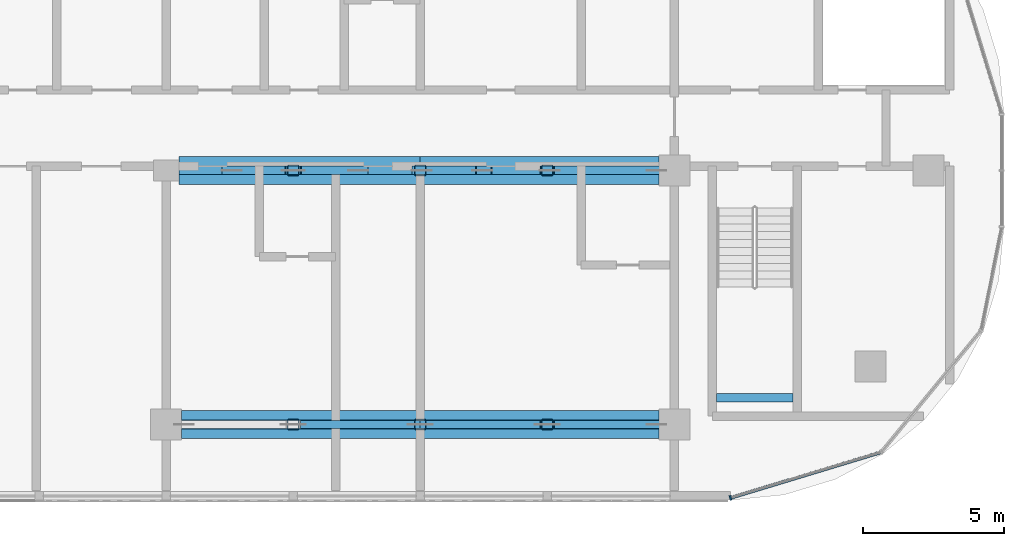
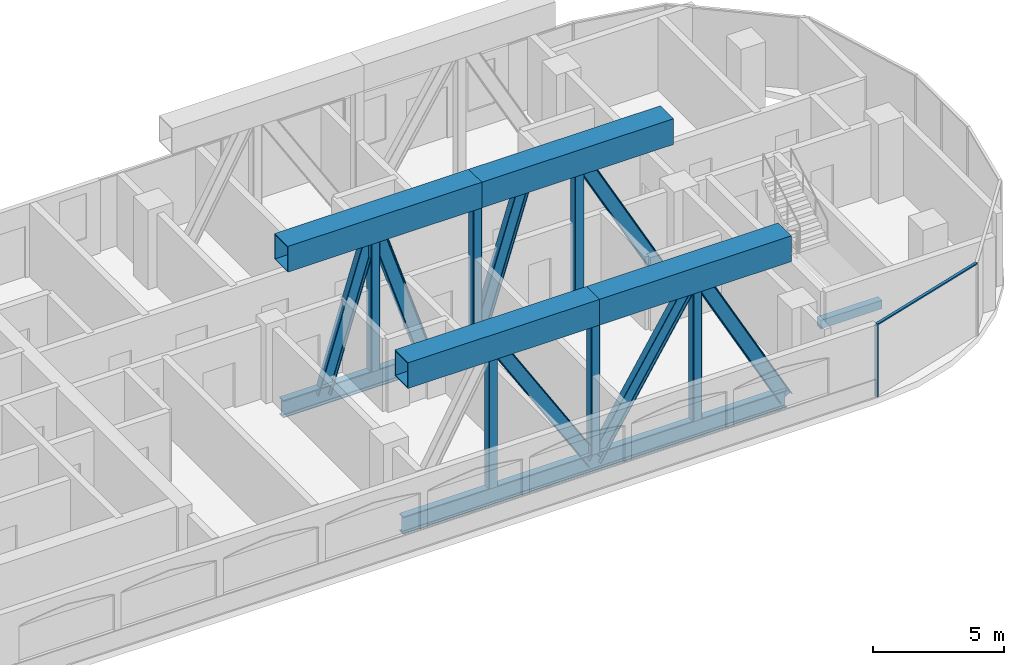
# One storey, part 3 of 25: 21 members, 1 beam, 1 element without a shape of its own.
"""IFC4 building model written with IfcOpenShell, lengths in metres."""

from ifc_helpers import new_model, si_unit, direction, frame, origin, origin_2d, place, context, subcontext, project, spatial, rectangle, hollow_rectangle, i_section, extrude, material, material_profile, profile_set, type_object, element, aggregate, save


model = new_model("IFC4")

# Units and contexts
model_context = context("Model", 3, precision=1e-05, world=origin(), true_north=direction((0.0, 1.0)))
body_context = subcontext(model_context, "Body", "Model", "MODEL_VIEW")
ifc_project = project(units=[si_unit("LENGTHUNIT", "METRE"), si_unit("AREAUNIT", "SQUARE_METRE"), si_unit("VOLUMEUNIT", "CUBIC_METRE"), si_unit("PLANEANGLEUNIT", "RADIAN"), si_unit("MASSUNIT", "GRAM", prefix="KILO")], contexts=[model_context])

# Site, building, storey
site_placement = place(None, origin())
site = spatial("IfcSite", under=ifc_project, at=site_placement, CompositionType="ELEMENT")
building_placement = place(site_placement, origin())
building = spatial("IfcBuilding", under=site, at=building_placement, Name="Ogive Portal Towers", CompositionType="ELEMENT")
storey_placement = place(building_placement, frame((0.0, 0.0, 182.89990234375)))
storey = spatial("IfcBuildingStorey", under=building, at=storey_placement, Name="L45", CompositionType="ELEMENT", Elevation=182.89990234375)

# Beam
ifc_material_1 = material(Name="Concrete C40/50", Category="concrete")
ifc_material_profile_1 = material_profile(ifc_material_1, rectangle(XDim=0.300048828125, YDim=0.39990234375, at=origin_2d()), Name="RC 300x400")
ifc_profile_set_1 = profile_set([ifc_material_profile_1], Name="Concrete C40/50")
beam_type = type_object("IfcBeamType", Name="BEAM RC 300x400", PredefinedType="BEAM", material=ifc_profile_set_1)
beam_placement = place(storey_placement, frame((87.0, 22.449951171875, 1.4501953125), z_axis=(1.0, 0.0, 0.0), x_axis=(0.0, 1.0, 0.0)))
element("IfcBeam", 1, at=beam_placement, inside=storey, type_object=beam_type, Name="Landing beam L45", PredefinedType="BEAM", context=body_context, shape_type="SweptSolid", body=[
    extrude(rectangle(XDim=0.300048828125, YDim=0.39990234375, at=origin_2d()), origin(), (0.0, 0.0, 1.0), 2.699951171875),
])

# Members
ifc_material_2 = material(Name="Steel S355", Category="steel")
ifc_material_profile_2 = material_profile(ifc_material_2, i_section(OverallWidth=0.300048828125, OverallDepth=0.60009765625, WebThickness=0.015380859375, FlangeThickness=0.030029296875, FilletRadius=0.027099609375, at=origin_2d()), Name="HEB 600")
ifc_profile_set_2 = profile_set([ifc_material_profile_2], Name="Steel S355")
member_type_1 = type_object("IfcMemberType", Name="BRACE HEB 600", PredefinedType="BRACE", material=ifc_profile_set_2)
for number, where, z_axis, x_axis, name in (
    (2, (72.0, 21.5, 6.5), (0.52963986891, 0.0, -0.848222617749), (0.0, 1.0, 0.0), "Lintel truss diagonal"),
    (3, (76.5, 21.5, -0.706787109375), (0.52963986891, 0.0, 0.848222617749), (0.0, 1.0, 0.0), "Lintel truss diagonal"),
):
    element("IfcMember", number, at=place(storey_placement, frame(where, z_axis=z_axis, x_axis=x_axis)), inside=storey, type_object=member_type_1, Name=name, PredefinedType="BRACE", context=body_context, shape_type="SweptSolid", body=[
        extrude(i_section(OverallWidth=0.300048828125, OverallDepth=0.60009765625, WebThickness=0.015380859375, FlangeThickness=0.030029296875, FilletRadius=0.027099609375, at=origin_2d()), origin(), (0.0, 0.0, 1.0), 8.496337890625),
    ])
member_1_placement = place(storey_placement, frame((81.0, 21.5, 6.5), z_axis=(0.480630732962, 0.0, -0.87692308587), x_axis=(0.0, 1.0, 0.0)))
element("IfcMember", 4, at=member_1_placement, inside=storey, type_object=member_type_1, Name="Lintel truss diagonal", PredefinedType="BRACE", context=body_context, shape_type="SweptSolid", body=[
    extrude(i_section(OverallWidth=0.300048828125, OverallDepth=0.60009765625, WebThickness=0.015380859375, FlangeThickness=0.030029296875, FilletRadius=0.027099609375, at=origin_2d()), origin(), (0.0, 0.0, 1.0), 8.21826171875),
])
member_2_placement = place(storey_placement, frame((69.7724609375, 30.5, -0.706787109375), z_axis=(0.2953046594, 0.0, 0.955403139066), x_axis=(0.0, 1.0, 0.0)))
element("IfcMember", 5, at=member_2_placement, inside=storey, type_object=member_type_1, Name="Lintel truss diagonal", PredefinedType="BRACE", context=body_context, shape_type="SweptSolid", body=[
    extrude(i_section(OverallWidth=0.300048828125, OverallDepth=0.60009765625, WebThickness=0.015380859375, FlangeThickness=0.030029296875, FilletRadius=0.027099609375, at=origin_2d()), origin(), (0.0, 0.0, 1.0), 7.543212890625),
])
member_3_placement = place(storey_placement, frame((74.362548828125, 30.5, -0.706787109375), z_axis=(-0.311511119663, 0.0, 0.950242507114), x_axis=(0.0, -1.0, 0.0)))
element("IfcMember", 6, at=member_3_placement, inside=storey, type_object=member_type_1, Name="Lintel truss diagonal", PredefinedType="BRACE", context=body_context, shape_type="SweptSolid", body=[
    extrude(i_section(OverallWidth=0.300048828125, OverallDepth=0.60009765625, WebThickness=0.015380859375, FlangeThickness=0.030029296875, FilletRadius=0.027099609375, at=origin_2d()), origin(), (0.0, 0.0, 1.0), 7.584228515625),
])
member_4_placement = place(storey_placement, frame((76.5, 30.5, -0.706787109375), z_axis=(0.298019047214, 0.0, 0.954559923471), x_axis=(0.0, 1.0, 0.0)))
element("IfcMember", 7, at=member_4_placement, inside=storey, type_object=member_type_1, Name="Lintel truss diagonal", PredefinedType="BRACE", context=body_context, shape_type="SweptSolid", body=[
    extrude(i_section(OverallWidth=0.300048828125, OverallDepth=0.60009765625, WebThickness=0.015380859375, FlangeThickness=0.030029296875, FilletRadius=0.027099609375, at=origin_2d()), origin(), (0.0, 0.0, 1.0), 7.5498046875),
])
member_5_placement = place(storey_placement, frame((81.0, 30.5, 6.5), z_axis=(0.480630732962, 0.0, -0.87692308587), x_axis=(0.0, 1.0, 0.0)))
element("IfcMember", 8, at=member_5_placement, inside=storey, type_object=member_type_1, Name="Lintel truss diagonal", PredefinedType="BRACE", context=body_context, shape_type="SweptSolid", body=[
    extrude(i_section(OverallWidth=0.300048828125, OverallDepth=0.60009765625, WebThickness=0.015380859375, FlangeThickness=0.030029296875, FilletRadius=0.027099609375, at=origin_2d()), origin(), (0.0, 0.0, 1.0), 8.21826171875),
])
ifc_material_profile_3 = material_profile(ifc_material_2, hollow_rectangle(XDim=1.0, YDim=1.199951171875, WallThickness=0.0400390625, at=origin_2d()), Name="BOX 1200x1000x40")
ifc_profile_set_3 = profile_set([ifc_material_profile_3], Name="Steel S355")
member_type_2 = type_object("IfcMemberType", Name="CHORD BOX 1200x1000x40", PredefinedType="CHORD", material=ifc_profile_set_3)
for number, where, z_axis, x_axis, name in (
    (9, (68.050048828125, 21.5, 6.5), (1.0, 0.0, 0.0), (0.0, 1.0, 0.0), "Lintel truss top chord"),
    (10, (76.5, 21.5, 6.5), (1.0, 0.0, 0.0), (0.0, 1.0, 0.0), "Lintel truss top chord"),
):
    element("IfcMember", number, at=place(storey_placement, frame(where, z_axis=z_axis, x_axis=x_axis)), inside=storey, type_object=member_type_2, Name=name, PredefinedType="CHORD", context=body_context, shape_type="SweptSolid", body=[
        extrude(hollow_rectangle(XDim=1.0, YDim=1.199951171875, WallThickness=0.0400390625, at=origin_2d()), origin(), (0.0, 0.0, 1.0), 8.449951171875),
    ])
member_6_placement = place(storey_placement, frame((67.949951171875, 30.5, 6.5), z_axis=(1.0, 0.0, 0.0), x_axis=(0.0, 1.0, 0.0)))
element("IfcMember", 11, at=member_6_placement, inside=storey, type_object=member_type_2, Name="Lintel truss top chord", PredefinedType="CHORD", context=body_context, shape_type="SweptSolid", body=[
    extrude(hollow_rectangle(XDim=1.0, YDim=1.199951171875, WallThickness=0.0400390625, at=origin_2d()), origin(), (0.0, 0.0, 1.0), 8.550048828125),
])
member_7_placement = place(storey_placement, frame((76.5, 30.5, 6.5), z_axis=(1.0, 0.0, 0.0), x_axis=(0.0, 1.0, 0.0)))
element("IfcMember", 12, at=member_7_placement, inside=storey, type_object=member_type_2, Name="Lintel truss top chord", PredefinedType="CHORD", context=body_context, shape_type="SweptSolid", body=[
    extrude(hollow_rectangle(XDim=1.0, YDim=1.199951171875, WallThickness=0.0400390625, at=origin_2d()), origin(), (0.0, 0.0, 1.0), 8.449951171875),
])
ifc_material_profile_4 = material_profile(ifc_material_2, i_section(OverallWidth=0.302978515625, OverallDepth=0.81396484375, WebThickness=0.02099609375, FlangeThickness=0.0400390625, FilletRadius=0.030029296875, at=origin_2d()), Name="HEM 800")
ifc_profile_set_4 = profile_set([ifc_material_profile_4], Name="Steel S355")
member_type_3 = type_object("IfcMemberType", Name="CHORD HEM 800", PredefinedType="CHORD", material=ifc_profile_set_4)
member_8_placement = place(storey_placement, frame((68.050048828125, 21.5, -0.706787109375), z_axis=(1.0, 0.0, 0.0), x_axis=(0.0, 1.0, 0.0)))
element("IfcMember", 13, at=member_8_placement, inside=storey, type_object=member_type_3, Name="Lintel truss bottom chord", PredefinedType="CHORD", context=body_context, shape_type="SweptSolid", body=[
    extrude(i_section(OverallWidth=0.302978515625, OverallDepth=0.81396484375, WebThickness=0.02099609375, FlangeThickness=0.0400390625, FilletRadius=0.030029296875, at=origin_2d()), origin(), (0.0, 0.0, 1.0), 16.89990234375),
])
member_9_placement = place(storey_placement, frame((67.949951171875, 30.5, -0.706787109375), z_axis=(1.0, 0.0, 0.0), x_axis=(0.0, 1.0, 0.0)))
element("IfcMember", 14, at=member_9_placement, inside=storey, type_object=member_type_3, Name="Lintel truss bottom chord", PredefinedType="CHORD", context=body_context, shape_type="SweptSolid", body=[
    extrude(i_section(OverallWidth=0.302978515625, OverallDepth=0.81396484375, WebThickness=0.02099609375, FlangeThickness=0.0400390625, FilletRadius=0.030029296875, at=origin_2d()), origin(), (0.0, 0.0, 1.0), 17.0),
])

# Curtain wall, members
ifc_material_3 = material(Name="Glass, clear low-iron insulated glazing", Category="glass")
curtain_wall_type = type_object("IfcCurtainWallType", Name="CW FRONT RIBBON 4500", PredefinedType="NOTDEFINED", material=ifc_material_3)
curtain_wall_placement = place(storey_placement, origin())
curtain_wall = element("IfcCurtainWall", 15, at=curtain_wall_placement, inside=storey, type_object=curtain_wall_type, Name="A:L45:f09:cwa", PredefinedType="NOTDEFINED")
ifc_material_4 = material(Name="Aluminium 6063 anodised", Category="aluminium")
ifc_material_profile_5 = material_profile(ifc_material_4, rectangle(XDim=0.159912109375, YDim=0.06005859375, at=origin_2d()), Name="AL 60x160")
ifc_profile_set_5 = profile_set([ifc_material_profile_5], Name="Aluminium 6063 anodised")
member_type_4 = type_object("IfcMemberType", Name="CW MULLION 60x160", PredefinedType="MULLION", material=ifc_profile_set_5)
member_10_placement = place(storey_placement, frame((87.488037109375, 18.89990234375, 0.0), z_axis=(0.0, 0.0, 1.0), x_axis=(-0.290284677254, 0.956940335732, 0.0)))
member_10 = element("IfcMember", 16, at=member_10_placement, type_object=member_type_4, Name="mullion", PredefinedType="MULLION", context=body_context, shape_type="SweptSolid", body=[
    extrude(rectangle(XDim=0.159912109375, YDim=0.06005859375, at=origin_2d()), origin(), (0.0, 0.0, 1.0), 3.340087890625),
])
ifc_material_profile_6 = material_profile(ifc_material_4, rectangle(XDim=0.1201171875, YDim=0.06005859375, at=origin_2d()), Name="AL 120x60")
ifc_profile_set_6 = profile_set([ifc_material_profile_6], Name="Aluminium 6063 anodised")
member_type_5 = type_object("IfcMemberType", Name="CW TRANSOM 60x120", PredefinedType="USERDEFINED", material=ifc_profile_set_6)
member_11_placement = place(storey_placement, frame((87.488037109375, 18.89990234375, 3.3701171875), z_axis=(0.956932427214, 0.290310746868, 0.0), x_axis=(-0.290310746868, 0.956932427214, 0.0)))
member_11 = element("IfcMember", 17, at=member_11_placement, type_object=member_type_5, Name="transom", ObjectType="TRANSOM", PredefinedType="USERDEFINED", context=body_context, shape_type="SweptSolid", body=[
    extrude(rectangle(XDim=0.1201171875, YDim=0.06005859375, at=origin_2d()), origin(), (0.0, 0.0, 1.0), 5.583984375),
])
aggregate(curtain_wall, [member_11, member_10])

# Members
ifc_material_profile_7 = material_profile(ifc_material_2, hollow_rectangle(XDim=0.39990234375, YDim=0.39990234375, WallThickness=0.02001953125, InnerFilletRadius=0.030029296875, OuterFilletRadius=0.050048828125, at=origin_2d()), Name="SHS 400x400x20")
ifc_profile_set_7 = profile_set([ifc_material_profile_7], Name="Steel S355")
member_type_6 = type_object("IfcMemberType", Name="POST SHS 400x400x20", PredefinedType="POST", material=ifc_profile_set_7)
for number, where, z_axis, x_axis, name in (
    (18, (72.0, 21.5, -0.2998046875), (0.0, 0.0, 1.0), (1.0, 0.0, 0.0), "Lintel truss post"),
    (19, (76.5, 21.5, -0.2998046875), (0.0, 0.0, 1.0), (1.0, 0.0, 0.0), "Lintel truss post"),
    (20, (81.0, 21.5, -0.2998046875), (0.0, 0.0, 1.0), (1.0, 0.0, 0.0), "Lintel truss post"),
    (21, (72.0, 30.5, -0.2998046875), (0.0, 0.0, 1.0), (1.0, 0.0, 0.0), "Lintel truss post"),
    (22, (76.5, 30.5, -0.2998046875), (0.0, 0.0, 1.0), (1.0, 0.0, 0.0), "Lintel truss post"),
    (23, (81.0, 30.5, -0.2998046875), (0.0, 0.0, 1.0), (1.0, 0.0, 0.0), "Lintel truss post"),
):
    element("IfcMember", number, at=place(storey_placement, frame(where, z_axis=z_axis, x_axis=x_axis)), inside=storey, type_object=member_type_6, Name=name, PredefinedType="POST", context=body_context, shape_type="SweptSolid", body=[
        extrude(hollow_rectangle(XDim=0.39990234375, YDim=0.39990234375, WallThickness=0.02001953125, InnerFilletRadius=0.030029296875, OuterFilletRadius=0.050048828125, at=origin_2d()), origin(), (0.0, 0.0, 1.0), 6.199951171875),
    ])

save(model, "model.ifc")
